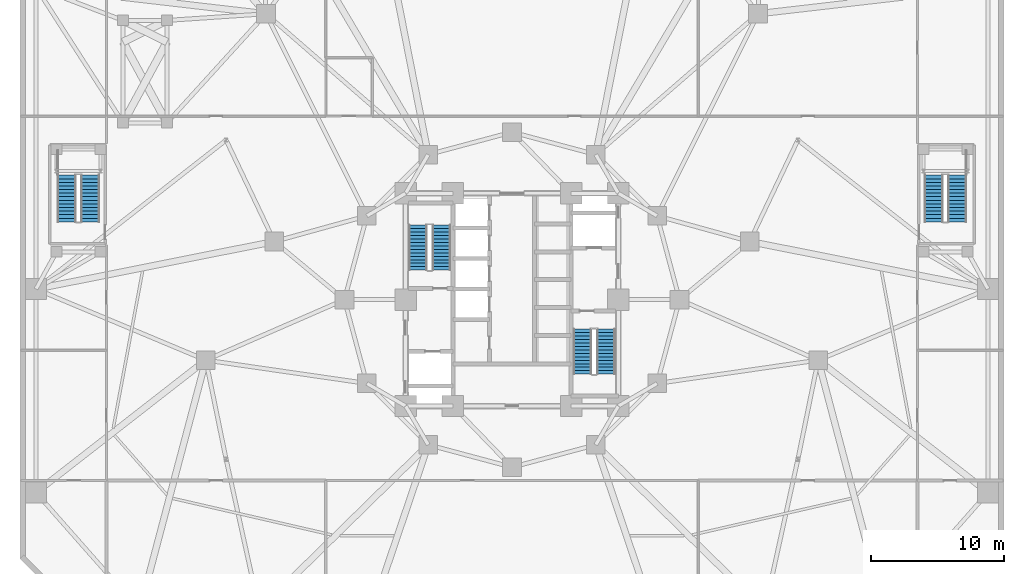
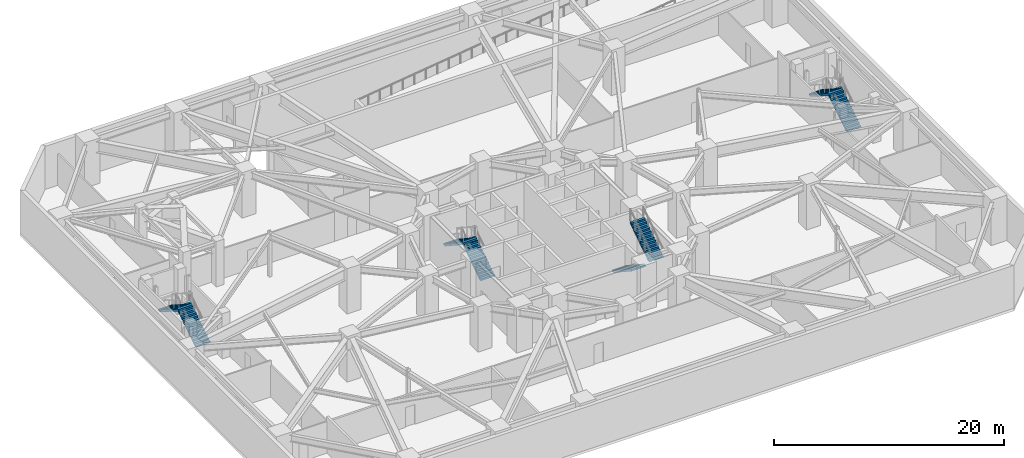
# One storey, part 15 of 18: 8 stair flights, 4 elements without a shape of their own.
"""IFC4 building model written with IfcOpenShell, lengths in metres."""

from ifc_helpers import new_model, si_unit, direction, frame, origin, place, context, subcontext, project, spatial, polyline, outline, extrude, material, type_object, element, aggregate, save


model = new_model("IFC4")

# Units and contexts
model_context = context("Model", 3, precision=1e-05, world=origin(), true_north=direction((0.0, 1.0)))
body_context = subcontext(model_context, "Body", "Model", "MODEL_VIEW")
ifc_project = project(units=[si_unit("LENGTHUNIT", "METRE"), si_unit("AREAUNIT", "SQUARE_METRE"), si_unit("VOLUMEUNIT", "CUBIC_METRE"), si_unit("PLANEANGLEUNIT", "RADIAN"), si_unit("MASSUNIT", "GRAM", prefix="KILO")], contexts=[model_context])

# Site, building, storey
site_placement = place(None, origin())
site = spatial("IfcSite", under=ifc_project, at=site_placement, CompositionType="ELEMENT")
building_placement = place(site_placement, origin())
building = spatial("IfcBuilding", under=site, at=building_placement, Name="Terralouvre Media Tower", CompositionType="ELEMENT")
storey_placement = place(building_placement, frame((0.0, 0.0, -4.800048828125)))
storey = spatial("IfcBuildingStorey", under=building, at=storey_placement, Name="B01", CompositionType="ELEMENT", Elevation=-4.800048828125)

# Stair, stair flights
ifc_material_1 = material(Name="Concrete C45/55", Category="concrete")
stair_type_1 = type_object("IfcStairType", Name="Dogleg Stair Assembly ST-01", PredefinedType="HALF_TURN_STAIR", material=ifc_material_1)
stair_1_placement = place(storey_placement, origin())
stair_1 = element("IfcStair", 1, at=stair_1_placement, inside=storey, type_object=stair_type_1, Name="B01 Core Pressurised Exit Stair ST-01", PredefinedType="HALF_TURN_STAIR")
ifc_material_2 = material(Name="Concrete C45/55", Category="concrete")
stair_flight_type = type_object("IfcStairFlightType", Name="Reinforced Concrete Stair Flight SF-RC1", PredefinedType="STRAIGHT", material=ifc_material_2)
stair_flight_1_placement = place(storey_placement, frame((-5.300048828125, 2.219970703125, 0.0), z_axis=(0.0, 0.0, 1.0), x_axis=(0.0, 1.0, 0.0)))
stair_flight_1 = element("IfcStairFlight", 2, at=stair_flight_1_placement, type_object=stair_flight_type, Name="ST-01 flight 1", NumberOfRisers=14, NumberOfTreads=13, PredefinedType="STRAIGHT", RiserHeight=0.171428571, TreadLength=0.26, context=body_context, shape_type="SweptSolid", body=[
    extrude(outline(polyline([(0.0, 0.0), (0.0, 0.17138671875), (0.260009765625, 0.17138671875), (0.260009765625, 0.3427734375), (0.52001953125, 0.3427734375), (0.52001953125, 0.514404296875), (0.780029296875, 0.514404296875), (0.780029296875, 0.685791015625), (1.0400390625, 0.685791015625), (1.0400390625, 0.857177734375), (1.300048828125, 0.857177734375), (1.300048828125, 1.028564453125), (1.56005859375, 1.028564453125), (1.56005859375, 1.199951171875), (1.820068359375, 1.199951171875), (1.820068359375, 1.371337890625), (2.080078125, 1.371337890625), (2.080078125, 1.54296875), (2.340087890625, 1.54296875), (2.340087890625, 1.71435546875), (2.60009765625, 1.71435546875), (2.60009765625, 1.8857421875), (2.860107421875, 1.8857421875), (2.860107421875, 2.05712890625), (3.1201171875, 2.05712890625), (3.1201171875, 2.228515625), (3.3798828125, 2.228515625), (3.3798828125, 2.39990234375), (3.3798828125, 2.049072265625), (0.272216796875, 0.0), (0.0, 0.0)])), frame((0.0, 0.699951171875, 0.0), z_axis=(0.0, -1.0, 0.0), x_axis=(1.0, 0.0, 0.0)), (0.0, 0.0, 1.0), 1.39990234375),
])
stair_flight_2_placement = place(storey_placement, frame((-7.080078125, 5.60009765625, 2.400146484375), z_axis=(0.0, 0.0, 1.0), x_axis=(0.0, -1.0, 0.0)))
stair_flight_2 = element("IfcStairFlight", 3, at=stair_flight_2_placement, type_object=stair_flight_type, Name="ST-01 flight 2", NumberOfRisers=14, NumberOfTreads=13, PredefinedType="STRAIGHT", RiserHeight=0.171428571, TreadLength=0.26, context=body_context, shape_type="SweptSolid", body=[
    extrude(outline(polyline([(0.0, 0.0), (0.0, 0.17138671875), (0.260009765625, 0.17138671875), (0.260009765625, 0.3427734375), (0.52001953125, 0.3427734375), (0.52001953125, 0.514404296875), (0.780029296875, 0.514404296875), (0.780029296875, 0.685791015625), (1.0400390625, 0.685791015625), (1.0400390625, 0.857177734375), (1.300048828125, 0.857177734375), (1.300048828125, 1.028564453125), (1.56005859375, 1.028564453125), (1.56005859375, 1.199951171875), (1.820068359375, 1.199951171875), (1.820068359375, 1.371337890625), (2.080078125, 1.371337890625), (2.080078125, 1.54296875), (2.340087890625, 1.54296875), (2.340087890625, 1.71435546875), (2.60009765625, 1.71435546875), (2.60009765625, 1.8857421875), (2.860107421875, 1.8857421875), (2.860107421875, 2.05712890625), (3.1201171875, 2.05712890625), (3.1201171875, 2.228515625), (3.3798828125, 2.228515625), (3.3798828125, 2.39990234375), (3.3798828125, 2.049072265625), (0.272216796875, 0.0), (0.0, 0.0)])), frame((0.0, 0.699951171875, 0.0), z_axis=(0.0, -1.0, 0.0), x_axis=(1.0, 0.0, 0.0)), (0.0, 0.0, 1.0), 1.39990234375),
])
aggregate(stair_1, [stair_flight_1, stair_flight_2])

ifc_material_3 = material(Name="Concrete C45/55", Category="concrete")
stair_type_2 = type_object("IfcStairType", Name="Dogleg Stair Assembly ST-02", PredefinedType="HALF_TURN_STAIR", material=ifc_material_3)
stair_2_placement = place(storey_placement, origin())
stair_2 = element("IfcStair", 4, at=stair_2_placement, inside=storey, type_object=stair_type_2, Name="B01 Core Pressurised Exit Stair ST-02", PredefinedType="HALF_TURN_STAIR")
stair_flight_3_placement = place(storey_placement, frame((5.300048828125, -2.219970703125, 0.0), z_axis=(0.0, 0.0, 1.0), x_axis=(0.0, -1.0, 0.0)))
stair_flight_3 = element("IfcStairFlight", 5, at=stair_flight_3_placement, type_object=stair_flight_type, Name="ST-02 flight 1", NumberOfRisers=14, NumberOfTreads=13, PredefinedType="STRAIGHT", RiserHeight=0.171428571, TreadLength=0.26, context=body_context, shape_type="SweptSolid", body=[
    extrude(outline(polyline([(0.0, 0.0), (0.0, 0.17138671875), (0.260009765625, 0.17138671875), (0.260009765625, 0.3427734375), (0.52001953125, 0.3427734375), (0.52001953125, 0.514404296875), (0.780029296875, 0.514404296875), (0.780029296875, 0.685791015625), (1.0400390625, 0.685791015625), (1.0400390625, 0.857177734375), (1.300048828125, 0.857177734375), (1.300048828125, 1.028564453125), (1.56005859375, 1.028564453125), (1.56005859375, 1.199951171875), (1.820068359375, 1.199951171875), (1.820068359375, 1.371337890625), (2.080078125, 1.371337890625), (2.080078125, 1.54296875), (2.340087890625, 1.54296875), (2.340087890625, 1.71435546875), (2.60009765625, 1.71435546875), (2.60009765625, 1.8857421875), (2.860107421875, 1.8857421875), (2.860107421875, 2.05712890625), (3.1201171875, 2.05712890625), (3.1201171875, 2.228515625), (3.3798828125, 2.228515625), (3.3798828125, 2.39990234375), (3.3798828125, 2.049072265625), (0.272216796875, 0.0), (0.0, 0.0)])), frame((0.0, 0.699951171875, 0.0), z_axis=(0.0, -1.0, 0.0), x_axis=(1.0, 0.0, 0.0)), (0.0, 0.0, 1.0), 1.39990234375),
])
stair_flight_4_placement = place(storey_placement, frame((7.080078125, -5.60009765625, 2.400146484375), z_axis=(0.0, 0.0, 1.0), x_axis=(0.0, 1.0, 0.0)))
stair_flight_4 = element("IfcStairFlight", 6, at=stair_flight_4_placement, type_object=stair_flight_type, Name="ST-02 flight 2", NumberOfRisers=14, NumberOfTreads=13, PredefinedType="STRAIGHT", RiserHeight=0.171428571, TreadLength=0.26, context=body_context, shape_type="SweptSolid", body=[
    extrude(outline(polyline([(0.0, 0.0), (0.0, 0.17138671875), (0.260009765625, 0.17138671875), (0.260009765625, 0.3427734375), (0.52001953125, 0.3427734375), (0.52001953125, 0.514404296875), (0.780029296875, 0.514404296875), (0.780029296875, 0.685791015625), (1.0400390625, 0.685791015625), (1.0400390625, 0.857177734375), (1.300048828125, 0.857177734375), (1.300048828125, 1.028564453125), (1.56005859375, 1.028564453125), (1.56005859375, 1.199951171875), (1.820068359375, 1.199951171875), (1.820068359375, 1.371337890625), (2.080078125, 1.371337890625), (2.080078125, 1.54296875), (2.340087890625, 1.54296875), (2.340087890625, 1.71435546875), (2.60009765625, 1.71435546875), (2.60009765625, 1.8857421875), (2.860107421875, 1.8857421875), (2.860107421875, 2.05712890625), (3.1201171875, 2.05712890625), (3.1201171875, 2.228515625), (3.3798828125, 2.228515625), (3.3798828125, 2.39990234375), (3.3798828125, 2.049072265625), (0.272216796875, 0.0), (0.0, 0.0)])), frame((0.0, 0.699951171875, 0.0), z_axis=(0.0, -1.0, 0.0), x_axis=(1.0, 0.0, 0.0)), (0.0, 0.0, 1.0), 1.39990234375),
])
aggregate(stair_2, [stair_flight_3, stair_flight_4])

ifc_material_4 = material(Name="Concrete C45/55", Category="concrete")
stair_type_3 = type_object("IfcStairType", Name="Dogleg Stair Assembly ST-03", PredefinedType="HALF_TURN_STAIR", material=ifc_material_4)
stair_3_placement = place(storey_placement, origin())
stair_3 = element("IfcStair", 7, at=stair_3_placement, inside=storey, type_object=stair_type_3, Name="B01 West Podium Exit Stair ST-03", PredefinedType="HALF_TURN_STAIR")
stair_flight_5_placement = place(storey_placement, frame((-31.7099609375, 5.85009765625, 0.0), z_axis=(0.0, 0.0, 1.0), x_axis=(0.0, 1.0, 0.0)))
stair_flight_5 = element("IfcStairFlight", 8, at=stair_flight_5_placement, type_object=stair_flight_type, Name="ST-03 flight 1", NumberOfRisers=14, NumberOfTreads=13, PredefinedType="STRAIGHT", RiserHeight=0.171428571, TreadLength=0.27, context=body_context, shape_type="SweptSolid", body=[
    extrude(outline(polyline([(0.0, 0.0), (0.0, 0.17138671875), (0.27001953125, 0.17138671875), (0.27001953125, 0.3427734375), (0.5400390625, 0.3427734375), (0.5400390625, 0.514404296875), (0.81005859375, 0.514404296875), (0.81005859375, 0.685791015625), (1.080078125, 0.685791015625), (1.080078125, 0.857177734375), (1.35009765625, 0.857177734375), (1.35009765625, 1.028564453125), (1.6201171875, 1.028564453125), (1.6201171875, 1.199951171875), (1.889892578125, 1.199951171875), (1.889892578125, 1.371337890625), (2.159912109375, 1.371337890625), (2.159912109375, 1.54296875), (2.429931640625, 1.54296875), (2.429931640625, 1.71435546875), (2.699951171875, 1.71435546875), (2.699951171875, 1.8857421875), (2.969970703125, 1.8857421875), (2.969970703125, 2.05712890625), (3.239990234375, 2.05712890625), (3.239990234375, 2.228515625), (3.510009765625, 2.228515625), (3.510009765625, 2.39990234375), (3.510009765625, 2.051025390625), (0.27978515625, 0.0), (0.0, 0.0)])), frame((0.0, 0.7099609375, 0.0), z_axis=(0.0, -1.0, 0.0), x_axis=(1.0, 0.0, 0.0)), (0.0, 0.0, 1.0), 1.419921875),
])
stair_flight_6_placement = place(storey_placement, frame((-33.489990234375, 9.360107421875, 2.400146484375), z_axis=(0.0, 0.0, 1.0), x_axis=(0.0, -1.0, 0.0)))
stair_flight_6 = element("IfcStairFlight", 9, at=stair_flight_6_placement, type_object=stair_flight_type, Name="ST-03 flight 2", NumberOfRisers=14, NumberOfTreads=13, PredefinedType="STRAIGHT", RiserHeight=0.171428571, TreadLength=0.27, context=body_context, shape_type="SweptSolid", body=[
    extrude(outline(polyline([(0.0, 0.0), (0.0, 0.17138671875), (0.27001953125, 0.17138671875), (0.27001953125, 0.3427734375), (0.5400390625, 0.3427734375), (0.5400390625, 0.514404296875), (0.81005859375, 0.514404296875), (0.81005859375, 0.685791015625), (1.080078125, 0.685791015625), (1.080078125, 0.857177734375), (1.35009765625, 0.857177734375), (1.35009765625, 1.028564453125), (1.6201171875, 1.028564453125), (1.6201171875, 1.199951171875), (1.889892578125, 1.199951171875), (1.889892578125, 1.371337890625), (2.159912109375, 1.371337890625), (2.159912109375, 1.54296875), (2.429931640625, 1.54296875), (2.429931640625, 1.71435546875), (2.699951171875, 1.71435546875), (2.699951171875, 1.8857421875), (2.969970703125, 1.8857421875), (2.969970703125, 2.05712890625), (3.239990234375, 2.05712890625), (3.239990234375, 2.228515625), (3.510009765625, 2.228515625), (3.510009765625, 2.39990234375), (3.510009765625, 2.051025390625), (0.27978515625, 0.0), (0.0, 0.0)])), frame((0.0, 0.7099609375, 0.0), z_axis=(0.0, -1.0, 0.0), x_axis=(1.0, 0.0, 0.0)), (0.0, 0.0, 1.0), 1.419921875),
])
aggregate(stair_3, [stair_flight_5, stair_flight_6])

ifc_material_5 = material(Name="Concrete C45/55", Category="concrete")
stair_type_4 = type_object("IfcStairType", Name="Dogleg Stair Assembly ST-04", PredefinedType="HALF_TURN_STAIR", material=ifc_material_5)
stair_4_placement = place(storey_placement, origin())
stair_4 = element("IfcStair", 10, at=stair_4_placement, inside=storey, type_object=stair_type_4, Name="B01 East Podium Exit Stair ST-04", PredefinedType="HALF_TURN_STAIR")
stair_flight_7_placement = place(storey_placement, frame((33.489990234375, 5.85009765625, 0.0), z_axis=(0.0, 0.0, 1.0), x_axis=(0.0, 1.0, 0.0)))
stair_flight_7 = element("IfcStairFlight", 11, at=stair_flight_7_placement, type_object=stair_flight_type, Name="ST-04 flight 1", NumberOfRisers=14, NumberOfTreads=13, PredefinedType="STRAIGHT", RiserHeight=0.171428571, TreadLength=0.27, context=body_context, shape_type="SweptSolid", body=[
    extrude(outline(polyline([(0.0, 0.0), (0.0, 0.17138671875), (0.27001953125, 0.17138671875), (0.27001953125, 0.3427734375), (0.5400390625, 0.3427734375), (0.5400390625, 0.514404296875), (0.81005859375, 0.514404296875), (0.81005859375, 0.685791015625), (1.080078125, 0.685791015625), (1.080078125, 0.857177734375), (1.35009765625, 0.857177734375), (1.35009765625, 1.028564453125), (1.6201171875, 1.028564453125), (1.6201171875, 1.199951171875), (1.889892578125, 1.199951171875), (1.889892578125, 1.371337890625), (2.159912109375, 1.371337890625), (2.159912109375, 1.54296875), (2.429931640625, 1.54296875), (2.429931640625, 1.71435546875), (2.699951171875, 1.71435546875), (2.699951171875, 1.8857421875), (2.969970703125, 1.8857421875), (2.969970703125, 2.05712890625), (3.239990234375, 2.05712890625), (3.239990234375, 2.228515625), (3.510009765625, 2.228515625), (3.510009765625, 2.39990234375), (3.510009765625, 2.051025390625), (0.27978515625, 0.0), (0.0, 0.0)])), frame((0.0, 0.7099609375, 0.0), z_axis=(0.0, -1.0, 0.0), x_axis=(1.0, 0.0, 0.0)), (0.0, 0.0, 1.0), 1.419921875),
])
stair_flight_8_placement = place(storey_placement, frame((31.7099609375, 9.360107421875, 2.400146484375), z_axis=(0.0, 0.0, 1.0), x_axis=(0.0, -1.0, 0.0)))
stair_flight_8 = element("IfcStairFlight", 12, at=stair_flight_8_placement, type_object=stair_flight_type, Name="ST-04 flight 2", NumberOfRisers=14, NumberOfTreads=13, PredefinedType="STRAIGHT", RiserHeight=0.171428571, TreadLength=0.27, context=body_context, shape_type="SweptSolid", body=[
    extrude(outline(polyline([(0.0, 0.0), (0.0, 0.17138671875), (0.27001953125, 0.17138671875), (0.27001953125, 0.3427734375), (0.5400390625, 0.3427734375), (0.5400390625, 0.514404296875), (0.81005859375, 0.514404296875), (0.81005859375, 0.685791015625), (1.080078125, 0.685791015625), (1.080078125, 0.857177734375), (1.35009765625, 0.857177734375), (1.35009765625, 1.028564453125), (1.6201171875, 1.028564453125), (1.6201171875, 1.199951171875), (1.889892578125, 1.199951171875), (1.889892578125, 1.371337890625), (2.159912109375, 1.371337890625), (2.159912109375, 1.54296875), (2.429931640625, 1.54296875), (2.429931640625, 1.71435546875), (2.699951171875, 1.71435546875), (2.699951171875, 1.8857421875), (2.969970703125, 1.8857421875), (2.969970703125, 2.05712890625), (3.239990234375, 2.05712890625), (3.239990234375, 2.228515625), (3.510009765625, 2.228515625), (3.510009765625, 2.39990234375), (3.510009765625, 2.051025390625), (0.27978515625, 0.0), (0.0, 0.0)])), frame((0.0, 0.7099609375, 0.0), z_axis=(0.0, -1.0, 0.0), x_axis=(1.0, 0.0, 0.0)), (0.0, 0.0, 1.0), 1.419921875),
])
aggregate(stair_4, [stair_flight_7, stair_flight_8])

save(model, "model.ifc")
